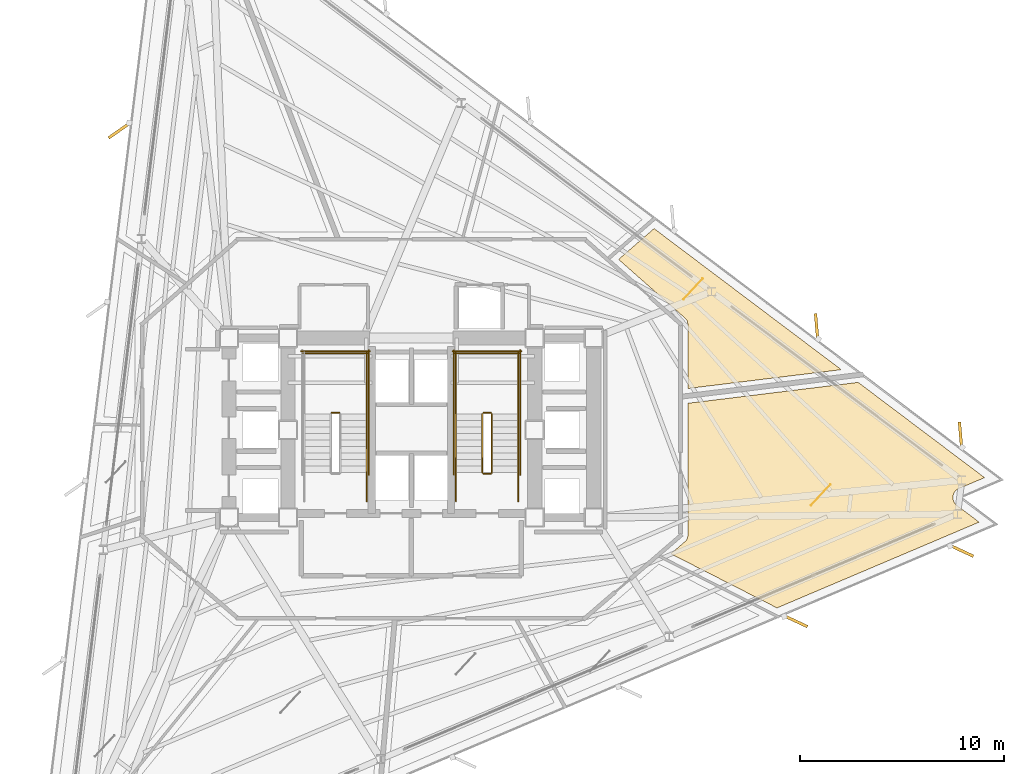
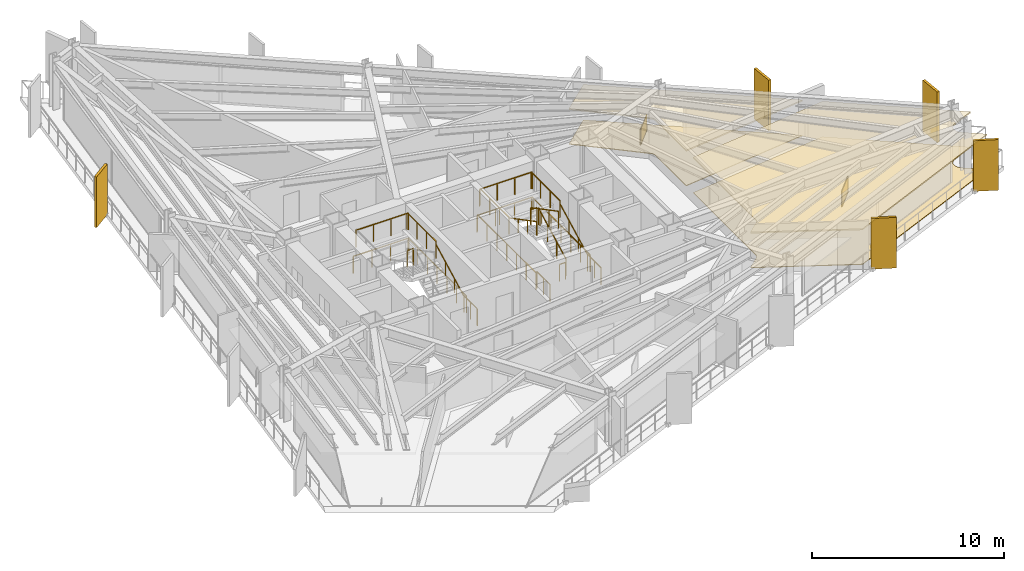
# One storey, part 12 of 13: 21 railings, 6 coverings, 5 shading devices.
"""IFC4 building model written with IfcOpenShell, lengths in metres."""

from ifc_helpers import new_model, si_unit, direction, frame, origin, origin_2d, place, context, subcontext, project, spatial, polyline, rectangle, outline, extrude, material, layer, layer_set, type_object, element, save


model = new_model("IFC4")

# Units and contexts
model_context = context("Model", 3, precision=1e-05, world=origin(), true_north=direction((0.0, 1.0)))
body_context = subcontext(model_context, "Body", "Model", "MODEL_VIEW")
ifc_project = project(units=[si_unit("LENGTHUNIT", "METRE"), si_unit("AREAUNIT", "SQUARE_METRE"), si_unit("VOLUMEUNIT", "CUBIC_METRE"), si_unit("PLANEANGLEUNIT", "RADIAN"), si_unit("MASSUNIT", "GRAM", prefix="KILO")], contexts=[model_context])

# Site, building, storey
site_placement = place(None, origin())
site = spatial("IfcSite", under=ifc_project, at=site_placement, CompositionType="ELEMENT")
building_placement = place(site_placement, origin())
building = spatial("IfcBuilding", under=site, at=building_placement, Name="Rocaltana Carrier Exchange", CompositionType="ELEMENT")
storey_placement = place(building_placement, frame((0.0, 0.0, 63.0400390625)))
storey = spatial("IfcBuildingStorey", under=building, at=storey_placement, Name="L19", CompositionType="ELEMENT", Elevation=63.0400390625)

# Coverings
ifc_material_1 = material(Name="Honed Bogota Sandstone Tile", Category="masonry")
ifc_layer_1 = layer(ifc_material_1, 0.0400390625)
ifc_layer_set_1 = layer_set([ifc_layer_1], Name="Honed Bogota Sandstone Tile")
covering_type_1 = type_object("IfcCoveringType", Name="Honed Stone Lobby Flooring 40", PredefinedType="FLOORING", material=ifc_layer_set_1)
covering_1_placement = place(storey_placement, origin())
element("IfcCovering", 1, at=covering_1_placement, inside=storey, type_object=covering_type_1, Name="L19 Optical Switching Laboratory Finish Floor", PredefinedType="FLOORING", context=body_context, shape_type="SweptSolid", body=[
    extrude(outline(polyline([(28.1201171875, -2.344482421875), (26.860107421875, -2.87939453125), (26.847412109375, -2.885009765625), (26.82958984375, -2.893798828125), (26.80517578125, -2.906982421875), (26.7880859375, -2.91748046875), (26.76513671875, -2.933349609375), (26.749267578125, -2.9453125), (26.727783203125, -2.96337890625), (26.71337890625, -2.97705078125), (26.69384765625, -2.9970703125), (26.6806640625, -3.01220703125), (26.663330078125, -3.033935546875), (26.65185546875, -3.050048828125), (26.63671875, -3.073486328125), (26.626708984375, -3.0908203125), (26.614013671875, -3.11572265625), (26.60595703125, -3.134033203125), (26.595703125, -3.159912109375), (26.589599609375, -3.178955078125), (26.58203125, -3.205810546875), (26.57763671875, -3.225341796875), (26.57275390625, -3.252685546875), (26.5703125, -3.2724609375), (26.568359375, -3.30029296875), (26.56787109375, -3.3203125), (26.568603515625, -3.34814453125), (26.5703125, -3.3681640625), (26.57373046875, -3.395751953125), (26.577392578125, -3.415283203125), (26.58349609375, -3.442626953125), (26.589111328125, -3.4619140625), (26.597900390625, -3.48828125), (26.605224609375, -3.5068359375), (26.616943359375, -3.5322265625), (26.6259765625, -3.5498046875), (26.639892578125, -3.573974609375), (26.65087890625, -3.5908203125), (26.667236328125, -3.61328125), (26.6796875, -3.62890625), (26.6982421875, -3.64990234375), (26.712158203125, -3.6640625), (26.732666015625, -3.68310546875), (26.748046875, -3.69580078125), (26.7587890625, -3.70458984375), (27.851806640625, -4.528076171875), (17.9384765625, -8.736083984375), (12.728515625, -6.08154296875), (13.43505859375, -5.47265625), (13.44482421875, -5.4638671875), (13.450439453125, -5.45849609375), (13.468994140625, -5.439208984375), (13.47412109375, -5.433349609375), (13.490478515625, -5.41259765625), (13.4951171875, -5.40625), (13.509521484375, -5.3837890625), (13.51318359375, -5.377197265625), (13.525634765625, -5.353515625), (13.52880859375, -5.346435546875), (13.538818359375, -5.32177734375), (13.541259765625, -5.314453125), (13.548828125, -5.288818359375), (13.550537109375, -5.281494140625), (13.5556640625, -5.255126953125), (13.556884765625, -5.24755859375), (13.559326171875, -5.220947265625), (13.559814453125, -5.21337890625), (13.56005859375, -5.199951171875), (13.56005859375, 1.30224609375), (21.918701171875, 2.32861328125), (28.1201171875, -2.344482421875)])), origin(), (0.0, 0.0, 1.0), 0.0400390625),
])
covering_2_placement = place(storey_placement, origin())
element("IfcCovering", 2, at=covering_2_placement, inside=storey, type_object=covering_type_1, Name="L19 Client Reception Foyer Finish Floor", PredefinedType="FLOORING", context=body_context, shape_type="SweptSolid", body=[
    extrude(outline(polyline([(21.091064453125, 2.952392578125), (13.56005859375, 2.027587890625), (13.56005859375, 5.199951171875), (13.559814453125, 5.213134765625), (13.559326171875, 5.220703125), (13.556884765625, 5.246826171875), (13.555908203125, 5.25439453125), (13.55078125, 5.2802734375), (13.549072265625, 5.28759765625), (13.541748046875, 5.31298828125), (13.539306640625, 5.320068359375), (13.529541015625, 5.344482421875), (13.526611328125, 5.351318359375), (13.5146484375, 5.375), (13.5107421875, 5.38134765625), (13.49658203125, 5.40380859375), (13.492431640625, 5.409912109375), (13.476318359375, 5.4306640625), (13.471435546875, 5.436279296875), (13.453369140625, 5.455810546875), (13.447998046875, 5.4609375), (13.438232421875, 5.469970703125), (10.16552734375, 8.359619140625), (11.906494140625, 9.873291015625), (21.091064453125, 2.952392578125)])), origin(), (0.0, 0.0, 1.0), 0.0400390625),
])
ifc_material_2 = material(Name="Anodised Aluminium 6063-T6", Category="aluminium")
ifc_layer_2 = layer(ifc_material_2, 0.0849609375)
ifc_layer_set_2 = layer_set([ifc_layer_2], Name="Anodised Aluminium 6063-T6")
covering_type_2 = type_object("IfcCoveringType", Name="Linear Baffle Acoustic Ceiling 85", PredefinedType="CEILING", material=ifc_layer_set_2)
covering_3_placement = place(storey_placement, frame((0.0, 0.0, 2.202880859375)))
element("IfcCovering", 3, at=covering_3_placement, inside=storey, type_object=covering_type_2, Name="L19 Optical Switching Laboratory Acoustic Ceiling", PredefinedType="CEILING", context=body_context, shape_type="SweptSolid", body=[
    extrude(outline(polyline([(28.1201171875, -2.344482421875), (26.860107421875, -2.87939453125), (26.847412109375, -2.885009765625), (26.82958984375, -2.893798828125), (26.80517578125, -2.906982421875), (26.7880859375, -2.91748046875), (26.76513671875, -2.933349609375), (26.749267578125, -2.9453125), (26.727783203125, -2.96337890625), (26.71337890625, -2.97705078125), (26.69384765625, -2.9970703125), (26.6806640625, -3.01220703125), (26.663330078125, -3.033935546875), (26.65185546875, -3.050048828125), (26.63671875, -3.073486328125), (26.626708984375, -3.0908203125), (26.614013671875, -3.11572265625), (26.60595703125, -3.134033203125), (26.595703125, -3.159912109375), (26.589599609375, -3.178955078125), (26.58203125, -3.205810546875), (26.57763671875, -3.225341796875), (26.57275390625, -3.252685546875), (26.5703125, -3.2724609375), (26.568359375, -3.30029296875), (26.56787109375, -3.3203125), (26.568603515625, -3.34814453125), (26.5703125, -3.3681640625), (26.57373046875, -3.395751953125), (26.577392578125, -3.415283203125), (26.58349609375, -3.442626953125), (26.589111328125, -3.4619140625), (26.597900390625, -3.48828125), (26.605224609375, -3.5068359375), (26.616943359375, -3.5322265625), (26.6259765625, -3.5498046875), (26.639892578125, -3.573974609375), (26.65087890625, -3.5908203125), (26.667236328125, -3.61328125), (26.6796875, -3.62890625), (26.6982421875, -3.64990234375), (26.712158203125, -3.6640625), (26.732666015625, -3.68310546875), (26.748046875, -3.69580078125), (26.7587890625, -3.70458984375), (27.851806640625, -4.528076171875), (17.9384765625, -8.736083984375), (12.728515625, -6.08154296875), (13.43505859375, -5.47265625), (13.44482421875, -5.4638671875), (13.450439453125, -5.45849609375), (13.468994140625, -5.439208984375), (13.47412109375, -5.433349609375), (13.490478515625, -5.41259765625), (13.4951171875, -5.40625), (13.509521484375, -5.3837890625), (13.51318359375, -5.377197265625), (13.525634765625, -5.353515625), (13.52880859375, -5.346435546875), (13.538818359375, -5.32177734375), (13.541259765625, -5.314453125), (13.548828125, -5.288818359375), (13.550537109375, -5.281494140625), (13.5556640625, -5.255126953125), (13.556884765625, -5.24755859375), (13.559326171875, -5.220947265625), (13.559814453125, -5.21337890625), (13.56005859375, -5.199951171875), (13.56005859375, 1.30224609375), (21.918701171875, 2.32861328125), (28.1201171875, -2.344482421875)])), origin(), (0.0, 0.0, 1.0), 0.0849609375),
])
covering_4_placement = place(storey_placement, frame((0.0, 0.0, 2.202880859375)))
element("IfcCovering", 4, at=covering_4_placement, inside=storey, type_object=covering_type_2, Name="L19 Client Reception Foyer Acoustic Ceiling", PredefinedType="CEILING", context=body_context, shape_type="SweptSolid", body=[
    extrude(outline(polyline([(21.091064453125, 2.952392578125), (13.56005859375, 2.027587890625), (13.56005859375, 5.199951171875), (13.559814453125, 5.213134765625), (13.559326171875, 5.220703125), (13.556884765625, 5.246826171875), (13.555908203125, 5.25439453125), (13.55078125, 5.2802734375), (13.549072265625, 5.28759765625), (13.541748046875, 5.31298828125), (13.539306640625, 5.320068359375), (13.529541015625, 5.344482421875), (13.526611328125, 5.351318359375), (13.5146484375, 5.375), (13.5107421875, 5.38134765625), (13.49658203125, 5.40380859375), (13.492431640625, 5.409912109375), (13.476318359375, 5.4306640625), (13.471435546875, 5.436279296875), (13.453369140625, 5.455810546875), (13.447998046875, 5.4609375), (13.438232421875, 5.469970703125), (10.16552734375, 8.359619140625), (11.906494140625, 9.873291015625), (21.091064453125, 2.952392578125)])), origin(), (0.0, 0.0, 1.0), 0.0849609375),
])

# Railings
ifc_material_3 = material(Name="Brushed Architectural Stainless Tube", Category="steel")
ifc_layer_3 = layer(ifc_material_3, 0.048095703125)
ifc_layer_set_3 = layer_set([ifc_layer_3], Name="Brushed Architectural Stainless Tube")
railing_type_1 = type_object("IfcRailingType", Name="Stair Wall Handrail 920", PredefinedType="HANDRAIL", material=ifc_layer_set_3)
for number, where, name in (
    (5, (-2.18994140625, -2.10009765625, 0.16796875), "L19 ST-1 stair handrail 1"),
    (6, (5.25, -2.10009765625, 0.16796875), "L19 ST-2 stair handrail 1"),
):
    element("IfcRailing", number, at=place(storey_placement, frame(where)), inside=storey, type_object=railing_type_1, Name=name, PredefinedType="HANDRAIL", context=body_context, shape_type="SweptSolid", body=[
        extrude(rectangle(XDim=0.048095703125, YDim=0.048095703125, at=origin_2d()), frame((0.0, 0.0, 0.8759765625), z_axis=(0.0, 0.885411030485, 0.464808893091), x_axis=(-1.0, 0.0, 0.0)), (0.0, 0.0, 1.0), 3.2529296875),
        extrude(rectangle(XDim=0.0419921875, YDim=0.0419921875, at=origin_2d()), origin(), (0.0, 0.0, 1.0), 0.851806640625),
        extrude(rectangle(XDim=0.0419921875, YDim=0.0419921875, at=origin_2d()), frame((0.0, 0.9599609375, 0.50390625)), (0.0, 0.0, 1.0), 0.851806640625),
        extrude(rectangle(XDim=0.0419921875, YDim=0.0419921875, at=origin_2d()), frame((0.0, 1.920166015625, 1.008056640625)), (0.0, 0.0, 1.0), 0.851806640625),
        extrude(rectangle(XDim=0.0419921875, YDim=0.0419921875, at=origin_2d()), frame((0.0, 2.880126953125, 1.511962890625)), (0.0, 0.0, 1.0), 0.851806640625),
    ])
railing_1_placement = place(storey_placement, frame((2.18994140625, 0.780029296875, 1.847900390625)))
element("IfcRailing", 7, at=railing_1_placement, inside=storey, type_object=railing_type_1, Name="L19 ST-2 stair handrail 2", PredefinedType="HANDRAIL", context=body_context, shape_type="SweptSolid", body=[
    extrude(rectangle(XDim=0.048095703125, YDim=0.048095703125, at=origin_2d()), frame((0.0, 0.0, 0.8759765625), z_axis=(0.0, -0.885411030485, 0.464808893091), x_axis=(1.0, 0.0, 0.0)), (0.0, 0.0, 1.0), 3.2529296875),
    extrude(rectangle(XDim=0.0419921875, YDim=0.0419921875, at=origin_2d()), origin(), (0.0, 0.0, 1.0), 0.851806640625),
    extrude(rectangle(XDim=0.0419921875, YDim=0.0419921875, at=origin_2d()), frame((0.0, -0.9599609375, 0.50390625)), (0.0, 0.0, 1.0), 0.851806640625),
    extrude(rectangle(XDim=0.0419921875, YDim=0.0419921875, at=origin_2d()), frame((0.0, -1.920166015625, 1.008056640625)), (0.0, 0.0, 1.0), 0.851806640625),
    extrude(rectangle(XDim=0.0419921875, YDim=0.0419921875, at=origin_2d()), frame((0.0, -2.880126953125, 1.511962890625)), (0.0, 0.0, 1.0), 0.851806640625),
])
ifc_material_4 = material(Name="Powder-Coated Aluminium 6063-T6", Category="aluminium")
ifc_layer_4 = layer(ifc_material_4, 0.048095703125)
ifc_layer_set_4 = layer_set([ifc_layer_4], Name="Powder-Coated Aluminium 6063-T6")
railing_type_2 = type_object("IfcRailingType", Name="Stair Well Guardrail 1100", PredefinedType="GUARDRAIL", material=ifc_layer_set_4)
railing_2_placement = place(storey_placement, frame((-3.5400390625, 0.830078125, 1.679931640625)))
element("IfcRailing", 8, at=railing_2_placement, inside=storey, type_object=railing_type_2, Name="L19 ST-1 stair guard 2", PredefinedType="GUARDRAIL", context=body_context, shape_type="SweptSolid", body=[
    extrude(rectangle(XDim=0.048095703125, YDim=0.048095703125, at=origin_2d()), frame((0.0, 0.0, 1.076171875), z_axis=(-1.0, 0.0, 0.0), x_axis=(0.0, -1.0, 0.0)), (0.0, 0.0, 1.0), 0.35986328125),
    extrude(rectangle(XDim=0.0419921875, YDim=0.0419921875, at=origin_2d()), origin(), (0.0, 0.0, 1.0), 1.052001953125),
    extrude(rectangle(XDim=0.0419921875, YDim=0.0419921875, at=origin_2d()), frame((-0.35986328125, 0.0, 0.0)), (0.0, 0.0, 1.0), 1.052001953125),
])
railing_3_placement = place(storey_placement, frame((-2.18994140625, 0.780029296875, 1.679931640625)))
element("IfcRailing", 9, at=railing_3_placement, inside=storey, type_object=railing_type_2, Name="L19 ST-1 stair guard 3", PredefinedType="GUARDRAIL", context=body_context, shape_type="SweptSolid", body=[
    extrude(rectangle(XDim=0.048095703125, YDim=0.048095703125, at=origin_2d()), frame((0.0, 0.0, 1.076171875), z_axis=(0.0, 1.0, 0.0), x_axis=(-1.0, 0.0, 0.0)), (0.0, 0.0, 1.0), 3.02001953125),
    extrude(rectangle(XDim=0.0419921875, YDim=0.0419921875, at=origin_2d()), origin(), (0.0, 0.0, 1.0), 1.052001953125),
    extrude(rectangle(XDim=0.0419921875, YDim=0.0419921875, at=origin_2d()), frame((0.0, 1.006591796875, 0.0)), (0.0, 0.0, 1.0), 1.052001953125),
    extrude(rectangle(XDim=0.0419921875, YDim=0.0419921875, at=origin_2d()), frame((0.0, 2.013427734375, 0.0)), (0.0, 0.0, 1.0), 1.052001953125),
    extrude(rectangle(XDim=0.0419921875, YDim=0.0419921875, at=origin_2d()), frame((0.0, 3.02001953125, 0.0)), (0.0, 0.0, 1.0), 1.052001953125),
])
railing_4_placement = place(storey_placement, frame((-2.139892578125, 3.75, 1.679931640625)))
element("IfcRailing", 10, at=railing_4_placement, inside=storey, type_object=railing_type_2, Name="L19 ST-1 stair guard 5", PredefinedType="GUARDRAIL", context=body_context, shape_type="SweptSolid", body=[
    extrude(rectangle(XDim=0.048095703125, YDim=0.048095703125, at=origin_2d()), frame((0.0, 0.0, 1.076171875), z_axis=(-1.0, 0.0, 0.0), x_axis=(0.0, -1.0, 0.0)), (0.0, 0.0, 1.0), 3.16015625),
    extrude(rectangle(XDim=0.0419921875, YDim=0.0419921875, at=origin_2d()), origin(), (0.0, 0.0, 1.0), 1.052001953125),
    extrude(rectangle(XDim=0.0419921875, YDim=0.0419921875, at=origin_2d()), frame((-1.053466796875, 0.0, 0.0)), (0.0, 0.0, 1.0), 1.052001953125),
    extrude(rectangle(XDim=0.0419921875, YDim=0.0419921875, at=origin_2d()), frame((-2.106689453125, 0.0, 0.0)), (0.0, 0.0, 1.0), 1.052001953125),
    extrude(rectangle(XDim=0.0419921875, YDim=0.0419921875, at=origin_2d()), frame((-3.16015625, 0.0, 0.0)), (0.0, 0.0, 1.0), 1.052001953125),
])
railing_5_placement = place(storey_placement, frame((-2.18994140625, -3.5, 0.0)))
element("IfcRailing", 11, at=railing_5_placement, inside=storey, type_object=railing_type_2, Name="L19 ST-1 stair guard 8", PredefinedType="GUARDRAIL", context=body_context, shape_type="SweptSolid", body=[
    extrude(rectangle(XDim=0.048095703125, YDim=0.048095703125, at=origin_2d()), frame((0.0, 0.0, 1.076171875), z_axis=(0.0, 1.0, 0.0), x_axis=(-1.0, 0.0, 0.0)), (0.0, 0.0, 1.0), 1.39990234375),
    extrude(rectangle(XDim=0.0419921875, YDim=0.0419921875, at=origin_2d()), origin(), (0.0, 0.0, 1.0), 1.052001953125),
    extrude(rectangle(XDim=0.0419921875, YDim=0.0419921875, at=origin_2d()), frame((0.0, 0.699951171875, 0.0)), (0.0, 0.0, 1.0), 1.052001953125),
    extrude(rectangle(XDim=0.0419921875, YDim=0.0419921875, at=origin_2d()), frame((0.0, 1.39990234375, 0.0)), (0.0, 0.0, 1.0), 1.052001953125),
])
railing_6_placement = place(storey_placement, frame((-2.090087890625, -2.199951171875, 0.0)))
element("IfcRailing", 12, at=railing_6_placement, inside=storey, type_object=railing_type_2, Name="L19 ST-1 stair guard 10", PredefinedType="GUARDRAIL", context=body_context, shape_type="SweptSolid", body=[
    extrude(rectangle(XDim=0.048095703125, YDim=0.048095703125, at=origin_2d()), frame((0.0, 0.0, 1.076171875), z_axis=(0.0, 1.0, 0.0), x_axis=(-1.0, 0.0, 0.0)), (0.0, 0.0, 1.0), 6.099853515625),
    extrude(rectangle(XDim=0.0419921875, YDim=0.0419921875, at=origin_2d()), origin(), (0.0, 0.0, 1.0), 1.052001953125),
    extrude(rectangle(XDim=0.0419921875, YDim=0.0419921875, at=origin_2d()), frame((0.0, 1.0166015625, 0.0)), (0.0, 0.0, 1.0), 1.052001953125),
    extrude(rectangle(XDim=0.0419921875, YDim=0.0419921875, at=origin_2d()), frame((0.0, 2.033203125, 0.0)), (0.0, 0.0, 1.0), 1.052001953125),
    extrude(rectangle(XDim=0.0419921875, YDim=0.0419921875, at=origin_2d()), frame((0.0, 3.0498046875, 0.0)), (0.0, 0.0, 1.0), 1.052001953125),
    extrude(rectangle(XDim=0.0419921875, YDim=0.0419921875, at=origin_2d()), frame((0.0, 4.066650390625, 0.0)), (0.0, 0.0, 1.0), 1.052001953125),
    extrude(rectangle(XDim=0.0419921875, YDim=0.0419921875, at=origin_2d()), frame((0.0, 5.083251953125, 0.0)), (0.0, 0.0, 1.0), 1.052001953125),
    extrude(rectangle(XDim=0.0419921875, YDim=0.0419921875, at=origin_2d()), frame((0.0, 6.099853515625, 0.0)), (0.0, 0.0, 1.0), 1.052001953125),
])
railing_7_placement = place(storey_placement, frame((-2.0400390625, 3.85009765625, 0.0)))
element("IfcRailing", 13, at=railing_7_placement, inside=storey, type_object=railing_type_2, Name="L19 ST-1 stair guard 12", PredefinedType="GUARDRAIL", context=body_context, shape_type="SweptSolid", body=[
    extrude(rectangle(XDim=0.048095703125, YDim=0.048095703125, at=origin_2d()), frame((0.0, 0.0, 1.076171875), z_axis=(-1.0, 0.0, 0.0), x_axis=(0.0, -1.0, 0.0)), (0.0, 0.0, 1.0), 3.35986328125),
    extrude(rectangle(XDim=0.0419921875, YDim=0.0419921875, at=origin_2d()), origin(), (0.0, 0.0, 1.0), 1.052001953125),
    extrude(rectangle(XDim=0.0419921875, YDim=0.0419921875, at=origin_2d()), frame((-1.119873046875, 0.0, 0.0)), (0.0, 0.0, 1.0), 1.052001953125),
    extrude(rectangle(XDim=0.0419921875, YDim=0.0419921875, at=origin_2d()), frame((-2.239990234375, 0.0, 0.0)), (0.0, 0.0, 1.0), 1.052001953125),
    extrude(rectangle(XDim=0.0419921875, YDim=0.0419921875, at=origin_2d()), frame((-3.35986328125, 0.0, 0.0)), (0.0, 0.0, 1.0), 1.052001953125),
])
railing_8_placement = place(storey_placement, frame((3.949951171875, -2.10009765625, 0.16796875)))
element("IfcRailing", 14, at=railing_8_placement, inside=storey, type_object=railing_type_2, Name="L19 ST-2 stair guard 1", PredefinedType="GUARDRAIL", context=body_context, shape_type="SweptSolid", body=[
    extrude(rectangle(XDim=0.048095703125, YDim=0.048095703125, at=origin_2d()), frame((0.0, 0.0, 1.076171875), z_axis=(0.0, 0.885411030485, 0.464808893091), x_axis=(-1.0, 0.0, 0.0)), (0.0, 0.0, 1.0), 3.2529296875),
    extrude(rectangle(XDim=0.0419921875, YDim=0.0419921875, at=origin_2d()), origin(), (0.0, 0.0, 1.0), 1.052001953125),
    extrude(rectangle(XDim=0.0419921875, YDim=0.0419921875, at=origin_2d()), frame((0.0, 0.9599609375, 0.50390625)), (0.0, 0.0, 1.0), 1.052001953125),
    extrude(rectangle(XDim=0.0419921875, YDim=0.0419921875, at=origin_2d()), frame((0.0, 1.920166015625, 1.008056640625)), (0.0, 0.0, 1.0), 1.052001953125),
    extrude(rectangle(XDim=0.0419921875, YDim=0.0419921875, at=origin_2d()), frame((0.0, 2.880126953125, 1.511962890625)), (0.0, 0.0, 1.0), 1.052001953125),
])
railing_9_placement = place(storey_placement, frame((3.89990234375, 0.830078125, 1.679931640625)))
element("IfcRailing", 15, at=railing_9_placement, inside=storey, type_object=railing_type_2, Name="L19 ST-2 stair guard 2", PredefinedType="GUARDRAIL", context=body_context, shape_type="SweptSolid", body=[
    extrude(rectangle(XDim=0.048095703125, YDim=0.048095703125, at=origin_2d()), frame((0.0, 0.0, 1.076171875), z_axis=(-1.0, 0.0, 0.0), x_axis=(0.0, -1.0, 0.0)), (0.0, 0.0, 1.0), 0.35986328125),
    extrude(rectangle(XDim=0.0419921875, YDim=0.0419921875, at=origin_2d()), origin(), (0.0, 0.0, 1.0), 1.052001953125),
    extrude(rectangle(XDim=0.0419921875, YDim=0.0419921875, at=origin_2d()), frame((-0.35986328125, 0.0, 0.0)), (0.0, 0.0, 1.0), 1.052001953125),
])
for number, where, name in (
    (16, (5.25, 0.780029296875, 1.679931640625), "L19 ST-2 stair guard 3"),
    (17, (2.18994140625, 0.780029296875, 1.679931640625), "L19 ST-2 stair guard 4"),
):
    element("IfcRailing", number, at=place(storey_placement, frame(where)), inside=storey, type_object=railing_type_2, Name=name, PredefinedType="GUARDRAIL", context=body_context, shape_type="SweptSolid", body=[
        extrude(rectangle(XDim=0.048095703125, YDim=0.048095703125, at=origin_2d()), frame((0.0, 0.0, 1.076171875), z_axis=(0.0, 1.0, 0.0), x_axis=(-1.0, 0.0, 0.0)), (0.0, 0.0, 1.0), 3.02001953125),
        extrude(rectangle(XDim=0.0419921875, YDim=0.0419921875, at=origin_2d()), origin(), (0.0, 0.0, 1.0), 1.052001953125),
        extrude(rectangle(XDim=0.0419921875, YDim=0.0419921875, at=origin_2d()), frame((0.0, 1.006591796875, 0.0)), (0.0, 0.0, 1.0), 1.052001953125),
        extrude(rectangle(XDim=0.0419921875, YDim=0.0419921875, at=origin_2d()), frame((0.0, 2.013427734375, 0.0)), (0.0, 0.0, 1.0), 1.052001953125),
        extrude(rectangle(XDim=0.0419921875, YDim=0.0419921875, at=origin_2d()), frame((0.0, 3.02001953125, 0.0)), (0.0, 0.0, 1.0), 1.052001953125),
    ])
railing_10_placement = place(storey_placement, frame((5.300048828125, 3.75, 1.679931640625)))
element("IfcRailing", 18, at=railing_10_placement, inside=storey, type_object=railing_type_2, Name="L19 ST-2 stair guard 5", PredefinedType="GUARDRAIL", context=body_context, shape_type="SweptSolid", body=[
    extrude(rectangle(XDim=0.048095703125, YDim=0.048095703125, at=origin_2d()), frame((0.0, 0.0, 1.076171875), z_axis=(-1.0, 0.0, 0.0), x_axis=(0.0, -1.0, 0.0)), (0.0, 0.0, 1.0), 3.16015625),
    extrude(rectangle(XDim=0.0419921875, YDim=0.0419921875, at=origin_2d()), origin(), (0.0, 0.0, 1.0), 1.052001953125),
    extrude(rectangle(XDim=0.0419921875, YDim=0.0419921875, at=origin_2d()), frame((-1.053466796875, 0.0, 0.0)), (0.0, 0.0, 1.0), 1.052001953125),
    extrude(rectangle(XDim=0.0419921875, YDim=0.0419921875, at=origin_2d()), frame((-2.106689453125, 0.0, 0.0)), (0.0, 0.0, 1.0), 1.052001953125),
    extrude(rectangle(XDim=0.0419921875, YDim=0.0419921875, at=origin_2d()), frame((-3.16015625, 0.0, 0.0)), (0.0, 0.0, 1.0), 1.052001953125),
])
railing_11_placement = place(storey_placement, frame((3.489990234375, 0.780029296875, 1.847900390625)))
element("IfcRailing", 19, at=railing_11_placement, inside=storey, type_object=railing_type_2, Name="L19 ST-2 stair guard 6", PredefinedType="GUARDRAIL", context=body_context, shape_type="SweptSolid", body=[
    extrude(rectangle(XDim=0.048095703125, YDim=0.048095703125, at=origin_2d()), frame((0.0, 0.0, 1.076171875), z_axis=(0.0, -0.885411030485, 0.464808893091), x_axis=(1.0, 0.0, 0.0)), (0.0, 0.0, 1.0), 3.2529296875),
    extrude(rectangle(XDim=0.0419921875, YDim=0.0419921875, at=origin_2d()), origin(), (0.0, 0.0, 1.0), 1.052001953125),
    extrude(rectangle(XDim=0.0419921875, YDim=0.0419921875, at=origin_2d()), frame((0.0, -0.9599609375, 0.50390625)), (0.0, 0.0, 1.0), 1.052001953125),
    extrude(rectangle(XDim=0.0419921875, YDim=0.0419921875, at=origin_2d()), frame((0.0, -1.920166015625, 1.008056640625)), (0.0, 0.0, 1.0), 1.052001953125),
    extrude(rectangle(XDim=0.0419921875, YDim=0.0419921875, at=origin_2d()), frame((0.0, -2.880126953125, 1.511962890625)), (0.0, 0.0, 1.0), 1.052001953125),
])
railing_12_placement = place(storey_placement, frame((3.89990234375, -2.14990234375, 0.0)))
element("IfcRailing", 20, at=railing_12_placement, inside=storey, type_object=railing_type_2, Name="L19 ST-2 stair guard 7", PredefinedType="GUARDRAIL", context=body_context, shape_type="SweptSolid", body=[
    extrude(rectangle(XDim=0.048095703125, YDim=0.048095703125, at=origin_2d()), frame((0.0, 0.0, 1.076171875), z_axis=(-1.0, 0.0, 0.0), x_axis=(0.0, -1.0, 0.0)), (0.0, 0.0, 1.0), 0.35986328125),
    extrude(rectangle(XDim=0.0419921875, YDim=0.0419921875, at=origin_2d()), origin(), (0.0, 0.0, 1.0), 1.052001953125),
    extrude(rectangle(XDim=0.0419921875, YDim=0.0419921875, at=origin_2d()), frame((-0.35986328125, 0.0, 0.0)), (0.0, 0.0, 1.0), 1.052001953125),
])
for number, where, name in (
    (21, (5.25, -3.5, 0.0), "L19 ST-2 stair guard 8"),
    (22, (2.18994140625, -3.5, 0.0), "L19 ST-2 stair guard 9"),
):
    element("IfcRailing", number, at=place(storey_placement, frame(where)), inside=storey, type_object=railing_type_2, Name=name, PredefinedType="GUARDRAIL", context=body_context, shape_type="SweptSolid", body=[
        extrude(rectangle(XDim=0.048095703125, YDim=0.048095703125, at=origin_2d()), frame((0.0, 0.0, 1.076171875), z_axis=(0.0, 1.0, 0.0), x_axis=(-1.0, 0.0, 0.0)), (0.0, 0.0, 1.0), 1.39990234375),
        extrude(rectangle(XDim=0.0419921875, YDim=0.0419921875, at=origin_2d()), origin(), (0.0, 0.0, 1.0), 1.052001953125),
        extrude(rectangle(XDim=0.0419921875, YDim=0.0419921875, at=origin_2d()), frame((0.0, 0.699951171875, 0.0)), (0.0, 0.0, 1.0), 1.052001953125),
        extrude(rectangle(XDim=0.0419921875, YDim=0.0419921875, at=origin_2d()), frame((0.0, 1.39990234375, 0.0)), (0.0, 0.0, 1.0), 1.052001953125),
    ])
for number, where, name in (
    (23, (5.35009765625, -2.199951171875, 0.0), "L19 ST-2 stair guard 10"),
    (24, (2.090087890625, -2.199951171875, 0.0), "L19 ST-2 stair guard 11"),
):
    element("IfcRailing", number, at=place(storey_placement, frame(where)), inside=storey, type_object=railing_type_2, Name=name, PredefinedType="GUARDRAIL", context=body_context, shape_type="SweptSolid", body=[
        extrude(rectangle(XDim=0.048095703125, YDim=0.048095703125, at=origin_2d()), frame((0.0, 0.0, 1.076171875), z_axis=(0.0, 1.0, 0.0), x_axis=(-1.0, 0.0, 0.0)), (0.0, 0.0, 1.0), 6.099853515625),
        extrude(rectangle(XDim=0.0419921875, YDim=0.0419921875, at=origin_2d()), origin(), (0.0, 0.0, 1.0), 1.052001953125),
        extrude(rectangle(XDim=0.0419921875, YDim=0.0419921875, at=origin_2d()), frame((0.0, 1.0166015625, 0.0)), (0.0, 0.0, 1.0), 1.052001953125),
        extrude(rectangle(XDim=0.0419921875, YDim=0.0419921875, at=origin_2d()), frame((0.0, 2.033203125, 0.0)), (0.0, 0.0, 1.0), 1.052001953125),
        extrude(rectangle(XDim=0.0419921875, YDim=0.0419921875, at=origin_2d()), frame((0.0, 3.0498046875, 0.0)), (0.0, 0.0, 1.0), 1.052001953125),
        extrude(rectangle(XDim=0.0419921875, YDim=0.0419921875, at=origin_2d()), frame((0.0, 4.066650390625, 0.0)), (0.0, 0.0, 1.0), 1.052001953125),
        extrude(rectangle(XDim=0.0419921875, YDim=0.0419921875, at=origin_2d()), frame((0.0, 5.083251953125, 0.0)), (0.0, 0.0, 1.0), 1.052001953125),
        extrude(rectangle(XDim=0.0419921875, YDim=0.0419921875, at=origin_2d()), frame((0.0, 6.099853515625, 0.0)), (0.0, 0.0, 1.0), 1.052001953125),
    ])
railing_13_placement = place(storey_placement, frame((5.39990234375, 3.85009765625, 0.0)))
element("IfcRailing", 25, at=railing_13_placement, inside=storey, type_object=railing_type_2, Name="L19 ST-2 stair guard 12", PredefinedType="GUARDRAIL", context=body_context, shape_type="SweptSolid", body=[
    extrude(rectangle(XDim=0.048095703125, YDim=0.048095703125, at=origin_2d()), frame((0.0, 0.0, 1.076171875), z_axis=(-1.0, 0.0, 0.0), x_axis=(0.0, -1.0, 0.0)), (0.0, 0.0, 1.0), 3.35986328125),
    extrude(rectangle(XDim=0.0419921875, YDim=0.0419921875, at=origin_2d()), origin(), (0.0, 0.0, 1.0), 1.052001953125),
    extrude(rectangle(XDim=0.0419921875, YDim=0.0419921875, at=origin_2d()), frame((-1.119873046875, 0.0, 0.0)), (0.0, 0.0, 1.0), 1.052001953125),
    extrude(rectangle(XDim=0.0419921875, YDim=0.0419921875, at=origin_2d()), frame((-2.239990234375, 0.0, 0.0)), (0.0, 0.0, 1.0), 1.052001953125),
    extrude(rectangle(XDim=0.0419921875, YDim=0.0419921875, at=origin_2d()), frame((-3.35986328125, 0.0, 0.0)), (0.0, 0.0, 1.0), 1.052001953125),
])

# Coverings
ifc_material_5 = material(Name="Honed Piedra Muneca Sandstone", Category="masonry")
ifc_layer_5 = layer(ifc_material_5, 0.034912109375)
ifc_layer_set_5 = layer_set([ifc_layer_5], Name="Honed Piedra Muneca Sandstone")
covering_type_3 = type_object("IfcCoveringType", Name="Stone Facade Cladding 35", PredefinedType="CLADDING", material=ifc_layer_set_5)
for number, where, z_axis, x_axis, name in (
    (26, (20.072998046875, -3.1923828125, 0.0), (0.0, 0.0, 1.0), (0.681998360062, 0.731353701619, 0.0), "L19 Stone Facade Cladding Panel 6"),
    (27, (13.8173828125, 6.914794921875, 0.0), (0.0, 0.0, 1.0), (0.681998360062, 0.731353701619, 0.0), "L19 Stone Facade Cladding Panel 7"),
):
    element("IfcCovering", number, at=place(storey_placement, frame(where, z_axis=z_axis, x_axis=x_axis)), inside=storey, type_object=covering_type_3, Name=name, PredefinedType="CLADDING", context=body_context, shape_type="SweptSolid", body=[
        extrude(rectangle(XDim=1.39990234375, YDim=0.034912109375, at=origin_2d()), origin(), (0.0, 0.0, 1.0), 1.050048828125),
    ])

# Shading devices
ifc_material_6 = material(Name="Honed Bogota Sandstone & Concrete C45/55", Category="masonry")
ifc_layer_6 = layer(ifc_material_6, 0.139892578125)
ifc_layer_set_6 = layer_set([ifc_layer_6], Name="Honed Bogota Sandstone & Concrete C45/55")
shading_device_type = type_object("IfcShadingDeviceType", Name="Vertical Sandstone Shading Fin 1320x140", PredefinedType="USERDEFINED", material=ifc_layer_set_6)
for number, where, z_axis, x_axis, name in (
    (28, (26.9423828125, -0.279052734375, -0.1201171875), (0.0, 0.0, 1.0), (-0.087155742748, 0.996194698092, 0.0), "L19 Sandstone Vertical Fin F1-01"),
    (29, (19.882568359375, 5.041015625, -0.1201171875), (0.0, 0.0, 1.0), (-0.087155742748, 0.996194698092, 0.0), "L19 Sandstone Vertical Fin F1-02"),
    (30, (-14.306884765625, 14.6982421875, -0.1201171875), (0.0, 0.0, 1.0), (-0.819152044289, -0.573576436351, 0.0), "L19 Sandstone Vertical Fin F2-02"),
    (31, (18.836181640625, -9.376953125, -0.1201171875), (0.0, 0.0, 1.0), (0.906307787037, -0.422618261741, 0.0), "L19 Sandstone Vertical Fin F3-05"),
    (32, (26.973388671875, -5.923095703125, -0.1201171875), (0.0, 0.0, 1.0), (0.906307787037, -0.422618261741, 0.0), "L19 Sandstone Vertical Fin F3-06"),
):
    element("IfcShadingDevice", number, at=place(storey_placement, frame(where, z_axis=z_axis, x_axis=x_axis)), inside=storey, type_object=shading_device_type, Name=name, ObjectType="FIN", PredefinedType="USERDEFINED", context=body_context, shape_type="SweptSolid", body=[
        extrude(rectangle(XDim=1.320068359375, YDim=0.139892578125, at=origin_2d()), origin(), (0.0, 0.0, 1.0), 3.218017578125),
    ])

save(model, "model.ifc")
